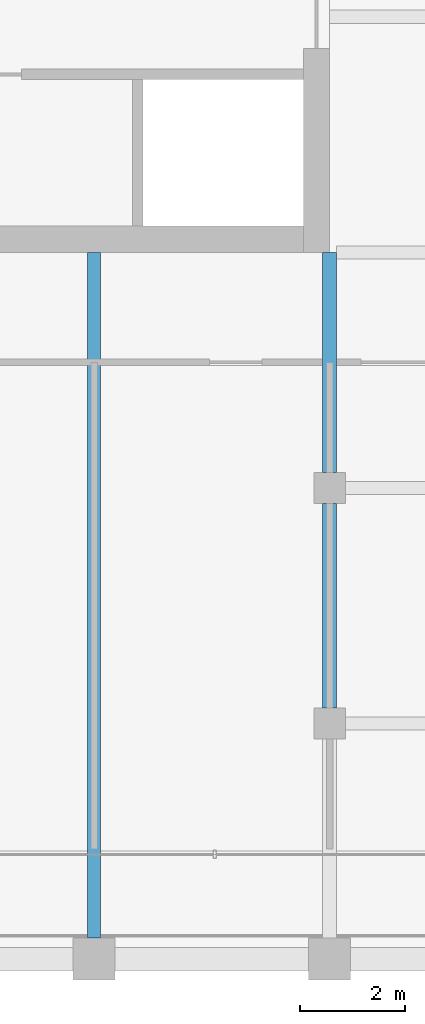
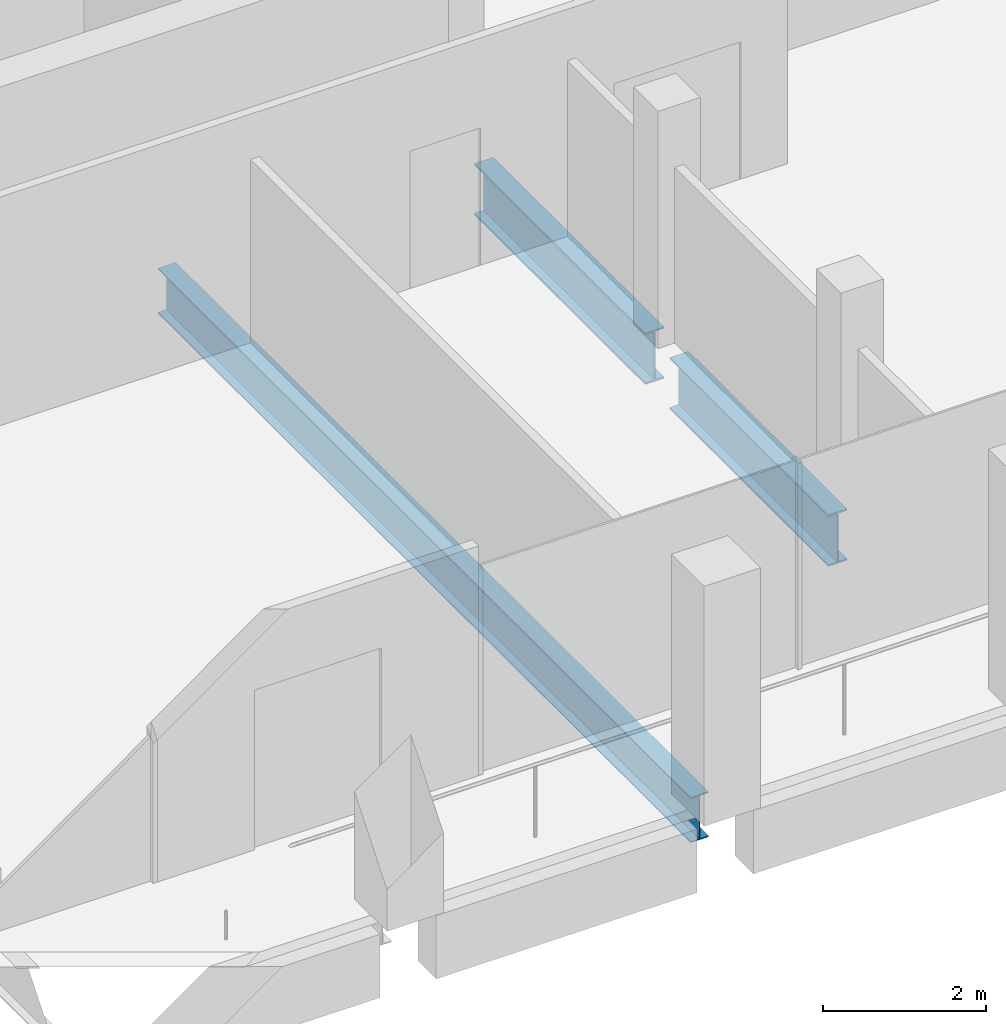
# One storey, part 10 of 40: 3 beams.
"""IFC4 building model written with IfcOpenShell, lengths in metres."""

import ifcopenshell
import ifcopenshell.guid

model = None  # the IFC model being written
_history = None  # IfcOwnerHistory: only IFC2X3 demands one
_inside = {}  # id of a spatial element -> (the spatial element, [elements in it])
_under = {}  # id of a project, library or spatial element -> (it, [spatial elements below it])
_declared = {}  # id of a project -> (the project, [libraries it declares])
_typed = {}  # id of a type object -> (the type object, [elements of that type])
_made_of = {}  # id of a material, layer set ... -> (it, [elements and type objects made of it])


def new_model(schema):
    """Start an empty IFC model of exactly this schema.

    Asked for "IFC4X3", IfcOpenShell would pick the latest addendum, in which some entities
    have other attributes; the version numbers below select the first issue.
    IFC2X3 requires an IfcOwnerHistory on every rooted entity: one is made here for all.
    """
    global model, _history
    if schema == "IFC4X3":
        model = ifcopenshell.file(schema_version=(4, 3, 0, 0))
    else:
        model = ifcopenshell.file(schema=schema)
    _inside.clear()
    _under.clear()
    _declared.clear()
    _typed.clear()
    _made_of.clear()
    _history = None
    if model.schema == "IFC2X3":
        org = make("IfcOrganization", Name="unknown")
        user = make(
            "IfcPersonAndOrganization",
            ThePerson=make("IfcPerson", FamilyName="unknown"),
            TheOrganization=org,
        )
        app = make(
            "IfcApplication",
            ApplicationDeveloper=org,
            Version="unknown",
            ApplicationFullName="unknown",
            ApplicationIdentifier="unknown",
        )
        _history = make(
            "IfcOwnerHistory",
            OwningUser=user,
            OwningApplication=app,
            ChangeAction="ADDED",
            CreationDate=0,
        )
    return model


def make(cls, **values):
    """One entity of the class cls with the attributes given. An attribute that is None is left unset."""
    return model.create_entity(
        cls, **{name: value for name, value in values.items() if value is not None}
    )


def rooted(cls, **values):
    """An entity with a GlobalId (a new one), such as an element, a storey or a relation."""
    return make(cls, GlobalId=ifcopenshell.guid.new(), OwnerHistory=_history, **values)


def si_unit(unit_type, name, prefix=None):
    """IfcSIUnit, for example si_unit("LENGTHUNIT", "METRE", prefix="MILLI")."""
    return make("IfcSIUnit", UnitType=unit_type, Prefix=prefix, Name=name)


def assignment(units):
    """IfcUnitAssignment: the units of a project."""
    return None if units is None else make("IfcUnitAssignment", Units=units)


def point(xyz):
    """IfcCartesianPoint."""
    return None if xyz is None else make("IfcCartesianPoint", Coordinates=xyz)


def direction(xyz):
    """IfcDirection."""
    return None if xyz is None else make("IfcDirection", DirectionRatios=xyz)


def frame(location, z_axis=None, x_axis=None):
    """IfcAxis2Placement3D, a coordinate frame: its origin and axes. An axis left out is left unset."""
    return make(
        "IfcAxis2Placement3D",
        Location=point(location),
        Axis=direction(z_axis),
        RefDirection=direction(x_axis),
    )


def frame_2d(location, x_axis=None):
    """IfcAxis2Placement2D, a coordinate frame in the plane: its origin and x axis."""
    return make(
        "IfcAxis2Placement2D", Location=point(location), RefDirection=direction(x_axis)
    )


def origin():
    """The frame at (0, 0, 0) with its axes left unset."""
    return frame((0.0, 0.0, 0.0))


def origin_2d():
    """The frame at (0, 0) in the plane with its x axis left unset."""
    return frame_2d((0.0, 0.0))


def place(relative_to, where):
    """IfcLocalPlacement: puts the frame where relative to a parent placement (None: the world)."""
    return make(
        "IfcLocalPlacement", PlacementRelTo=relative_to, RelativePlacement=where
    )


def context(
    kind, dimensions, precision=None, world=None, true_north=None, identifier=None
):
    """IfcGeometricRepresentationContext, for example the 3D "Model" context."""
    return make(
        "IfcGeometricRepresentationContext",
        ContextIdentifier=identifier,
        ContextType=kind,
        CoordinateSpaceDimension=dimensions,
        Precision=precision,
        WorldCoordinateSystem=world,
        TrueNorth=true_north,
    )


def subcontext(parent, identifier, kind, view, scale=None):
    """IfcGeometricRepresentationSubContext, for example "Body" below "Model"."""
    return make(
        "IfcGeometricRepresentationSubContext",
        ContextIdentifier=identifier,
        ContextType=kind,
        ParentContext=parent,
        TargetScale=scale,
        TargetView=view,
    )


def project(units=None, contexts=None):
    """IfcProject with its units and contexts."""
    return rooted(
        "IfcProject",
        Name="project",
        RepresentationContexts=contexts,
        UnitsInContext=assignment(units),
    )


def spatial(cls, under=None, at=None, **own):
    """A site, building, storey or space (cls), placed at a placement, below another one or the project."""
    s = rooted(cls, ObjectPlacement=at, **own)
    if under is not None:
        _under.setdefault(under.id(), (under, []))[1].append(s)
    return s


def profile(cls, at=None, kind="AREA", **sizes):
    """A parametric profile (cls). Its sizes go by their IFC names, for example OverallWidth=200.0."""
    return make(cls, ProfileType=kind, Position=at, **sizes)


def i_section(**sizes):
    """IfcIShapeProfileDef."""
    return profile("IfcIShapeProfileDef", **sizes)


def extrude(swept, where, along, depth):
    """IfcExtrudedAreaSolid: the profile swept, set in the frame where, extruded along a direction by depth."""
    return make(
        "IfcExtrudedAreaSolid",
        SweptArea=swept,
        Position=where,
        ExtrudedDirection=direction(along),
        Depth=depth,
    )


def shape(context_of_items, identifier, shape_type, items):
    """IfcShapeRepresentation: the items that make up one representation, for example the "Body"."""
    return make(
        "IfcShapeRepresentation",
        ContextOfItems=context_of_items,
        RepresentationIdentifier=identifier,
        RepresentationType=shape_type,
        Items=items,
    )


def material(Name=None, Category=None):
    """IfcMaterial."""
    return make("IfcMaterial", Name=Name, Category=Category)


def material_profile(
    of_material, cross_section, Name=None, Category=None, Priority=None
):
    """IfcMaterialProfile: a cross section and its material."""
    return make(
        "IfcMaterialProfile",
        Name=Name,
        Material=of_material,
        Profile=cross_section,
        Priority=Priority,
        Category=Category,
    )


def profile_set(profiles, Name=None, composite=None):
    """IfcMaterialProfileSet."""
    return make(
        "IfcMaterialProfileSet",
        Name=Name,
        MaterialProfiles=profiles,
        CompositeProfile=composite,
    )


def made_of(thing, what):
    """Note that an element or type object is made of a material, layer set ...; save() writes the relation."""
    if what is not None:
        _made_of.setdefault(what.id(), (what, []))[1].append(thing)
    return thing


def type_object(cls, material=None, **own):
    """A type object (cls), such as IfcWallType, which elements share."""
    return made_of(rooted(cls, **own), material)


def element(
    cls,
    number,
    at=None,
    inside=None,
    cuts=None,
    type_object=None,
    material=None,
    context=None,
    identifier="Body",
    shape_type=None,
    held_by="IfcProductDefinitionShape",
    body=None,
    shapes=None,
    **own,
):
    """One element of the class cls, such as IfcWall. Its Tag is "e" and its number.

    at: its placement. inside: the storey or other place that contains it. cuts: it is an
    opening in that element (IfcRelVoidsElement). A single representation is given by context,
    identifier, shape_type and body (its items); several are given by shapes. held_by: the class
    of the entity that holds the representations. save() writes the other relations.
    """
    e = rooted(cls, Tag="e%d" % number, ObjectPlacement=at, **own)
    if body is not None:
        shapes = [shape(context, identifier, shape_type, body)]
    if shapes is not None:
        e.Representation = make(held_by, Representations=shapes)
    if inside is not None:
        _inside.setdefault(inside.id(), (inside, []))[1].append(e)
    if cuts is not None:
        rooted(
            "IfcRelVoidsElement", RelatingBuildingElement=cuts, RelatedOpeningElement=e
        )
    if type_object is not None:
        _typed.setdefault(type_object.id(), (type_object, []))[1].append(e)
    return made_of(e, material)


def aggregate(whole, parts):
    """IfcRelAggregates: a whole, such as a stair, and the parts it consists of."""
    return rooted("IfcRelAggregates", RelatingObject=whole, RelatedObjects=parts)


def save(model, path):
    """Write the relations noted so far, then the file.

    IfcRelAggregates (storeys below a building ...), IfcRelContainedInSpatialStructure (elements
    in a storey), IfcRelDefinesByType, IfcRelAssociatesMaterial and IfcRelDeclares: one each for
    every whole, place, type object, material and project.
    """
    for whole, parts in _under.values():
        aggregate(whole, parts)
    for where, things in _inside.values():
        rooted(
            "IfcRelContainedInSpatialStructure",
            RelatedElements=things,
            RelatingStructure=where,
        )
    for kind, things in _typed.values():
        rooted("IfcRelDefinesByType", RelatedObjects=things, RelatingType=kind)
    for what, things in _made_of.values():
        rooted("IfcRelAssociatesMaterial", RelatedObjects=things, RelatingMaterial=what)
    for by, libraries in _declared.values():
        rooted("IfcRelDeclares", RelatingContext=by, RelatedDefinitions=libraries)
    model.write(path)


model = new_model("IFC4")

# Units and contexts
model_context = context("Model", 3, precision=1e-05, world=origin(), true_north=direction((0.0, 1.0)))
body_context = subcontext(model_context, "Body", "Model", "MODEL_VIEW")
ifc_project = project(units=[si_unit("LENGTHUNIT", "METRE"), si_unit("AREAUNIT", "SQUARE_METRE"), si_unit("VOLUMEUNIT", "CUBIC_METRE"), si_unit("PLANEANGLEUNIT", "RADIAN"), si_unit("MASSUNIT", "GRAM", prefix="KILO")], contexts=[model_context])

# Site, building, storey
site_placement = place(None, origin())
site = spatial("IfcSite", under=ifc_project, at=site_placement, CompositionType="ELEMENT")
building_placement = place(site_placement, origin())
building = spatial("IfcBuilding", under=site, at=building_placement, Name="Altepetl Exchange Towers", CompositionType="ELEMENT")
storey_placement = place(building_placement, frame((0.0, 0.0, 202.800048828125)))
storey = spatial("IfcBuildingStorey", under=building, at=storey_placement, Name="L51", CompositionType="ELEMENT", Elevation=202.800048828125)

# Beams
ifc_material = material(Name="Steel S355", Category="steel")
ifc_material_profile_1 = material_profile(ifc_material, i_section(OverallWidth=0.2529296875, OverallDepth=0.677978515625, WebThickness=0.01171875, FlangeThickness=0.016357421875, at=origin_2d()), Name="W27X84")
ifc_profile_set_1 = profile_set([ifc_material_profile_1], Name="Steel S355")
beam_type_1 = type_object("IfcBeamType", Name="Floor beam W27X84", PredefinedType="BEAM", material=ifc_profile_set_1)
beam_1_placement = place(storey_placement, frame((54.0, 27.39990234375, -0.489013671875), z_axis=(0.0, 1.0, 0.0), x_axis=(-1.0, 0.0, 0.0)))
element("IfcBeam", 1, at=beam_1_placement, inside=storey, type_object=beam_type_1, Name="bm:A:L51:017", PredefinedType="BEAM", context=body_context, shape_type="SweptSolid", body=[
    extrude(i_section(OverallWidth=0.2529296875, OverallDepth=0.677978515625, WebThickness=0.01171875, FlangeThickness=0.016357421875, at=origin_2d()), origin(), (0.0, 0.0, 1.0), 13.10009765625),
])
ifc_material_profile_2 = material_profile(ifc_material, i_section(OverallWidth=0.26806640625, OverallDepth=0.77392578125, WebThickness=0.015380859375, FlangeThickness=0.025390625, at=origin_2d()), Name="W30X132")
ifc_profile_set_2 = profile_set([ifc_material_profile_2], Name="Steel S355")
beam_type_2 = type_object("IfcBeamType", Name="Girder W30X132", PredefinedType="BEAM", material=ifc_profile_set_2)
beam_2_placement = place(storey_placement, frame((58.5, 40.5, -0.537109375), z_axis=(0.0, -1.0, 0.0), x_axis=(1.0, 0.0, 0.0)))
element("IfcBeam", 2, at=beam_2_placement, inside=storey, type_object=beam_type_2, Name="gd:A:L51:003", PredefinedType="BEAM", context=body_context, shape_type="SweptSolid", body=[
    extrude(i_section(OverallWidth=0.26806640625, OverallDepth=0.77392578125, WebThickness=0.015380859375, FlangeThickness=0.025390625, at=origin_2d()), origin(), (0.0, 0.0, 1.0), 4.199951171875),
])
beam_3_placement = place(storey_placement, frame((58.5, 35.699951171875, -0.537109375), z_axis=(0.0, -1.0, 0.0), x_axis=(1.0, 0.0, 0.0)))
element("IfcBeam", 3, at=beam_3_placement, inside=storey, type_object=beam_type_2, Name="gd:A:L51:004", PredefinedType="BEAM", context=body_context, shape_type="SweptSolid", body=[
    extrude(i_section(OverallWidth=0.26806640625, OverallDepth=0.77392578125, WebThickness=0.015380859375, FlangeThickness=0.025390625, at=origin_2d()), origin(), (0.0, 0.0, 1.0), 3.89990234375),
])

save(model, "model.ifc")
